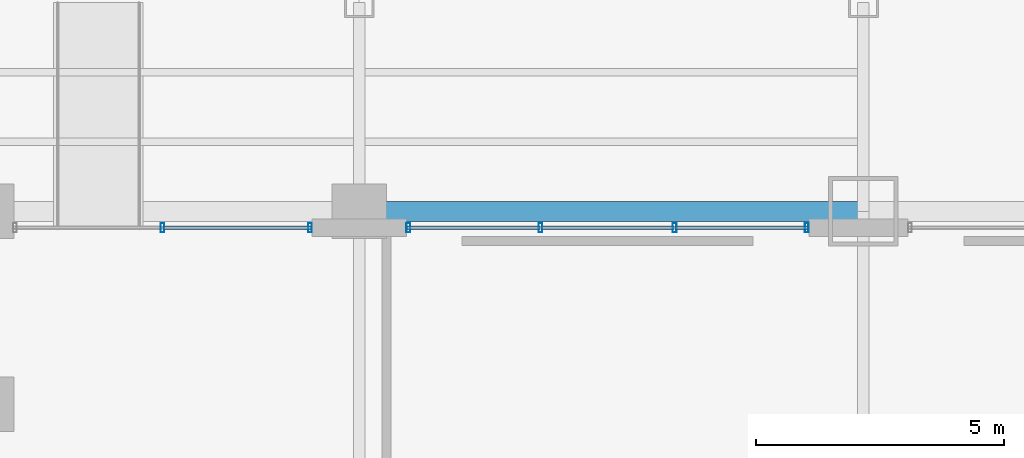
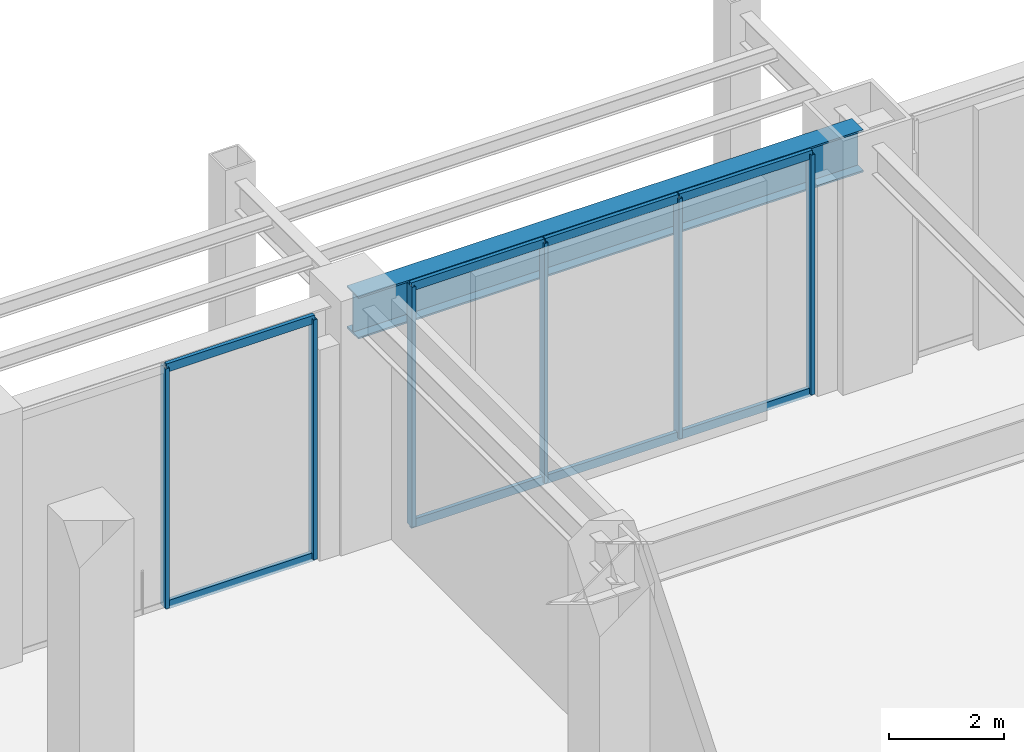
# One storey, part 11 of 23: 14 members, 1 beam, 2 elements without a shape of their own.
"""IFC4 building model written with IfcOpenShell, lengths in metres."""

from ifc_helpers import new_model, si_unit, direction, frame, origin, origin_2d, place, context, subcontext, project, spatial, hollow_rectangle, i_section, extrude, material, material_profile, profile_set, type_object, element, aggregate, save


model = new_model("IFC4")

# Units and contexts
model_context = context("Model", 3, precision=1e-05, world=origin(), true_north=direction((0.0, 1.0)))
body_context = subcontext(model_context, "Body", "Model", "MODEL_VIEW")
ifc_project = project(units=[si_unit("LENGTHUNIT", "METRE"), si_unit("AREAUNIT", "SQUARE_METRE"), si_unit("VOLUMEUNIT", "CUBIC_METRE"), si_unit("PLANEANGLEUNIT", "RADIAN"), si_unit("MASSUNIT", "GRAM", prefix="KILO")], contexts=[model_context])

# Site, building, storey
site_placement = place(None, origin())
site = spatial("IfcSite", under=ifc_project, at=site_placement, CompositionType="ELEMENT")
building_placement = place(site_placement, origin())
building = spatial("IfcBuilding", under=site, at=building_placement, Name="Ventersveld Concourse Tower", CompositionType="ELEMENT")
storey_placement = place(building_placement, origin())
storey = spatial("IfcBuildingStorey", under=building, at=storey_placement, Name="L00", CompositionType="ELEMENT", Elevation=0.0)

# Curtain wall, members
ifc_material_1 = material(Name="Anodised aluminium EN AW-6063-T6", Category="aluminium")
curtain_wall_type = type_object("IfcCurtainWallType", Name="CW-CONC-1", PredefinedType="NOTDEFINED", material=ifc_material_1)
curtain_wall_1_placement = place(storey_placement, origin())
curtain_wall_1 = element("IfcCurtainWall", 1, at=curtain_wall_1_placement, inside=storey, type_object=curtain_wall_type, Name="L00 Station Concourse North Storefront 3", PredefinedType="NOTDEFINED")
ifc_material_profile_1 = material_profile(ifc_material_1, hollow_rectangle(XDim=0.074951171875, YDim=0.179931640625, WallThickness=0.00390625, at=origin_2d()), Name="ALU 180x75x4")
ifc_profile_set_1 = profile_set([ifc_material_profile_1], Name="Anodised aluminium EN AW-6063-T6")
member_type_1 = type_object("IfcMemberType", Name="CWM-180x75", PredefinedType="MULLION", material=ifc_profile_set_1)
member_1_placement = place(storey_placement, frame((39.7900390625, 43.669921875, 0.0), z_axis=(0.0, 0.0, 1.0), x_axis=(1.0, 0.0, 0.0)))
member_1 = element("IfcMember", 2, at=member_1_placement, type_object=member_type_1, Name="CW-L00-N3-S2 Mullion 02", PredefinedType="MULLION", context=body_context, shape_type="SweptSolid", body=[
    extrude(hollow_rectangle(XDim=0.074951171875, YDim=0.179931640625, WallThickness=0.00390625, at=origin_2d()), origin(), (0.0, 0.0, 1.0), 5.10009765625),
])
member_2_placement = place(storey_placement, frame((42.760009765625, 43.669921875, 0.0), z_axis=(0.0, 0.0, 1.0), x_axis=(1.0, 0.0, 0.0)))
member_2 = element("IfcMember", 3, at=member_2_placement, type_object=member_type_1, Name="CW-L00-N3-S2 Mullion 03", PredefinedType="MULLION", context=body_context, shape_type="SweptSolid", body=[
    extrude(hollow_rectangle(XDim=0.074951171875, YDim=0.179931640625, WallThickness=0.00390625, at=origin_2d()), origin(), (0.0, 0.0, 1.0), 5.10009765625),
])

curtain_wall_2_placement = place(storey_placement, origin())
curtain_wall_2 = element("IfcCurtainWall", 4, at=curtain_wall_2_placement, inside=storey, type_object=curtain_wall_type, Name="L00 Station Concourse North Storefront 4", PredefinedType="NOTDEFINED")
member_3_placement = place(storey_placement, frame((44.739990234375, 43.669921875, 0.0), z_axis=(0.0, 0.0, 1.0), x_axis=(1.0, 0.0, 0.0)))
member_3 = element("IfcMember", 5, at=member_3_placement, type_object=member_type_1, Name="CW-L00-N4 Mullion 01", PredefinedType="MULLION", context=body_context, shape_type="SweptSolid", body=[
    extrude(hollow_rectangle(XDim=0.074951171875, YDim=0.179931640625, WallThickness=0.00390625, at=origin_2d()), origin(), (0.0, 0.0, 1.0), 5.10009765625),
])
member_4_placement = place(storey_placement, frame((47.39990234375, 43.669921875, 0.0), z_axis=(0.0, 0.0, 1.0), x_axis=(1.0, 0.0, 0.0)))
member_4 = element("IfcMember", 6, at=member_4_placement, type_object=member_type_1, Name="CW-L00-N4 Mullion 02", PredefinedType="MULLION", context=body_context, shape_type="SweptSolid", body=[
    extrude(hollow_rectangle(XDim=0.074951171875, YDim=0.179931640625, WallThickness=0.00390625, at=origin_2d()), origin(), (0.0, 0.0, 1.0), 5.10009765625),
])
member_5_placement = place(storey_placement, frame((50.10009765625, 43.669921875, 0.0), z_axis=(0.0, 0.0, 1.0), x_axis=(1.0, 0.0, 0.0)))
member_5 = element("IfcMember", 7, at=member_5_placement, type_object=member_type_1, Name="CW-L00-N4 Mullion 03", PredefinedType="MULLION", context=body_context, shape_type="SweptSolid", body=[
    extrude(hollow_rectangle(XDim=0.074951171875, YDim=0.179931640625, WallThickness=0.00390625, at=origin_2d()), origin(), (0.0, 0.0, 1.0), 5.10009765625),
])
member_6_placement = place(storey_placement, frame((52.760009765625, 43.669921875, 0.0), z_axis=(0.0, 0.0, 1.0), x_axis=(1.0, 0.0, 0.0)))
member_6 = element("IfcMember", 8, at=member_6_placement, type_object=member_type_1, Name="CW-L00-N4 Mullion 04", PredefinedType="MULLION", context=body_context, shape_type="SweptSolid", body=[
    extrude(hollow_rectangle(XDim=0.074951171875, YDim=0.179931640625, WallThickness=0.00390625, at=origin_2d()), origin(), (0.0, 0.0, 1.0), 5.10009765625),
])

# Member
ifc_material_profile_2 = material_profile(ifc_material_1, hollow_rectangle(XDim=0.074951171875, YDim=0.179931640625, WallThickness=0.00390625, at=origin_2d()), Name="ALU 180x75x4")
ifc_profile_set_2 = profile_set([ifc_material_profile_2], Name="Anodised aluminium EN AW-6063-T6")
member_type_2 = type_object("IfcMemberType", Name="CWT-180x75", PredefinedType="USERDEFINED", material=ifc_profile_set_2)
member_7_placement = place(storey_placement, frame((39.800048828125, 43.669921875, 0.030029296875), z_axis=(1.0, 0.0, 0.0), x_axis=(0.0, 1.0, 0.0)))
member_7 = element("IfcMember", 9, at=member_7_placement, type_object=member_type_2, Name="CW-L00-N3-S2 Transom 1-02", ObjectType="TRANSOM", PredefinedType="USERDEFINED", context=body_context, shape_type="SweptSolid", body=[
    extrude(hollow_rectangle(XDim=0.074951171875, YDim=0.179931640625, WallThickness=0.00390625, at=origin_2d()), origin(), (0.0, 0.0, 1.0), 2.97998046875),
])

member_8_placement = place(storey_placement, frame((39.800048828125, 43.669921875, 5.070068359375), z_axis=(1.0, 0.0, 0.0), x_axis=(0.0, 1.0, 0.0)))
member_8 = element("IfcMember", 10, at=member_8_placement, type_object=member_type_2, Name="CW-L00-N3-S2 Transom 2-02", ObjectType="TRANSOM", PredefinedType="USERDEFINED", context=body_context, shape_type="SweptSolid", body=[
    extrude(hollow_rectangle(XDim=0.074951171875, YDim=0.179931640625, WallThickness=0.00390625, at=origin_2d()), origin(), (0.0, 0.0, 1.0), 2.97998046875),
])

aggregate(curtain_wall_1, [member_1, member_2, member_7, member_8])

member_9_placement = place(storey_placement, frame((44.719970703125, 43.669921875, 0.030029296875), z_axis=(1.0, 0.0, 0.0), x_axis=(0.0, 1.0, 0.0)))
member_9 = element("IfcMember", 11, at=member_9_placement, type_object=member_type_2, Name="CW-L00-N4 Transom 1-01", ObjectType="TRANSOM", PredefinedType="USERDEFINED", context=body_context, shape_type="SweptSolid", body=[
    extrude(hollow_rectangle(XDim=0.074951171875, YDim=0.179931640625, WallThickness=0.00390625, at=origin_2d()), origin(), (0.0, 0.0, 1.0), 2.669921875),
])

member_10_placement = place(storey_placement, frame((47.409912109375, 43.669921875, 0.030029296875), z_axis=(1.0, 0.0, 0.0), x_axis=(0.0, 1.0, 0.0)))
member_10 = element("IfcMember", 12, at=member_10_placement, type_object=member_type_2, Name="CW-L00-N4 Transom 1-02", ObjectType="TRANSOM", PredefinedType="USERDEFINED", context=body_context, shape_type="SweptSolid", body=[
    extrude(hollow_rectangle(XDim=0.074951171875, YDim=0.179931640625, WallThickness=0.00390625, at=origin_2d()), origin(), (0.0, 0.0, 1.0), 2.68017578125),
])

member_11_placement = place(storey_placement, frame((50.110107421875, 43.669921875, 0.030029296875), z_axis=(1.0, 0.0, 0.0), x_axis=(0.0, 1.0, 0.0)))
member_11 = element("IfcMember", 13, at=member_11_placement, type_object=member_type_2, Name="CW-L00-N4 Transom 1-03", ObjectType="TRANSOM", PredefinedType="USERDEFINED", context=body_context, shape_type="SweptSolid", body=[
    extrude(hollow_rectangle(XDim=0.074951171875, YDim=0.179931640625, WallThickness=0.00390625, at=origin_2d()), origin(), (0.0, 0.0, 1.0), 2.669921875),
])

member_12_placement = place(storey_placement, frame((44.719970703125, 43.669921875, 5.070068359375), z_axis=(1.0, 0.0, 0.0), x_axis=(0.0, 1.0, 0.0)))
member_12 = element("IfcMember", 14, at=member_12_placement, type_object=member_type_2, Name="CW-L00-N4 Transom 2-01", ObjectType="TRANSOM", PredefinedType="USERDEFINED", context=body_context, shape_type="SweptSolid", body=[
    extrude(hollow_rectangle(XDim=0.074951171875, YDim=0.179931640625, WallThickness=0.00390625, at=origin_2d()), origin(), (0.0, 0.0, 1.0), 2.669921875),
])

member_13_placement = place(storey_placement, frame((47.409912109375, 43.669921875, 5.070068359375), z_axis=(1.0, 0.0, 0.0), x_axis=(0.0, 1.0, 0.0)))
member_13 = element("IfcMember", 15, at=member_13_placement, type_object=member_type_2, Name="CW-L00-N4 Transom 2-02", ObjectType="TRANSOM", PredefinedType="USERDEFINED", context=body_context, shape_type="SweptSolid", body=[
    extrude(hollow_rectangle(XDim=0.074951171875, YDim=0.179931640625, WallThickness=0.00390625, at=origin_2d()), origin(), (0.0, 0.0, 1.0), 2.68017578125),
])

member_14_placement = place(storey_placement, frame((50.110107421875, 43.669921875, 5.070068359375), z_axis=(1.0, 0.0, 0.0), x_axis=(0.0, 1.0, 0.0)))
member_14 = element("IfcMember", 16, at=member_14_placement, type_object=member_type_2, Name="CW-L00-N4 Transom 2-03", ObjectType="TRANSOM", PredefinedType="USERDEFINED", context=body_context, shape_type="SweptSolid", body=[
    extrude(hollow_rectangle(XDim=0.074951171875, YDim=0.179931640625, WallThickness=0.00390625, at=origin_2d()), origin(), (0.0, 0.0, 1.0), 2.669921875),
])

aggregate(curtain_wall_2, [member_3, member_4, member_5, member_6, member_9, member_10, member_11, member_12, member_13, member_14])

# Beam
ifc_material_2 = material(Name="Structural steel S355J2", Category="steel")
ifc_material_profile_3 = material_profile(ifc_material_2, i_section(OverallWidth=0.39990234375, OverallDepth=0.89990234375, WebThickness=0.02197265625, FlangeThickness=0.035888671875, at=origin_2d()), Name="PG 900x400x36")
ifc_profile_set_3 = profile_set([ifc_material_profile_3], Name="Structural steel S355J2")
beam_type = type_object("IfcBeamType", Name="GRD-PG900", PredefinedType="USERDEFINED", material=ifc_profile_set_3)
beam_placement = place(storey_placement, frame((43.75, 44.0, 4.64990234375), z_axis=(1.0, 0.0, 0.0), x_axis=(0.0, 1.0, 0.0)))
element("IfcBeam", 17, at=beam_placement, inside=storey, type_object=beam_type, Name="L00 Podium Primary Girder Y=44.0m", ObjectType="GIRDER", PredefinedType="USERDEFINED", context=body_context, shape_type="SweptSolid", body=[
    extrude(i_section(OverallWidth=0.39990234375, OverallDepth=0.89990234375, WebThickness=0.02197265625, FlangeThickness=0.035888671875, at=origin_2d()), origin(), (0.0, 0.0, 1.0), 10.14990234375),
])

save(model, "model.ifc")
